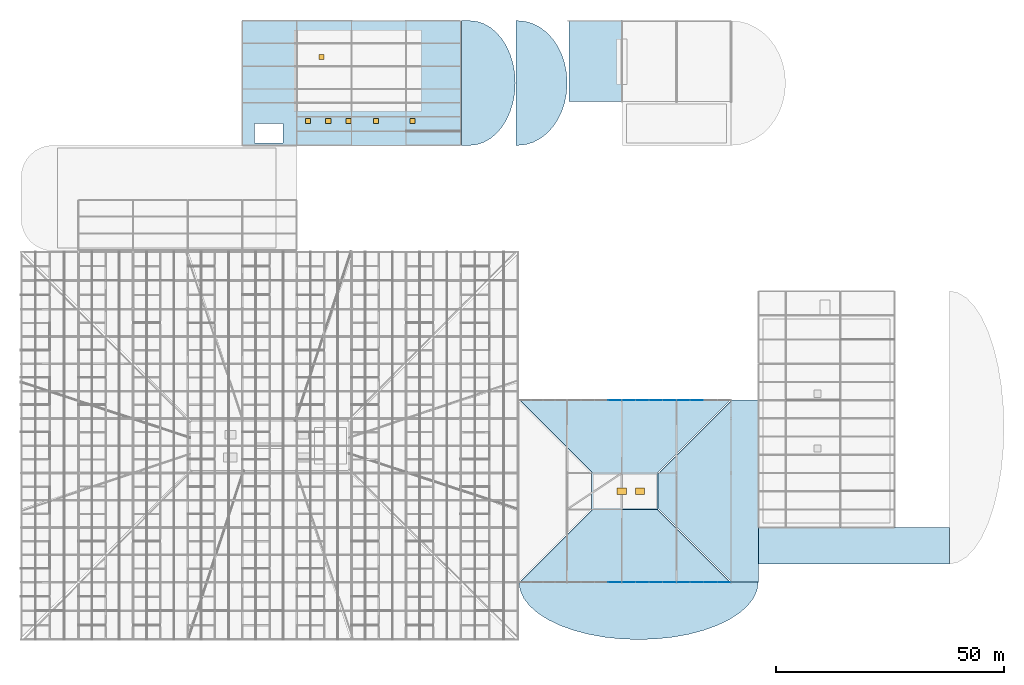
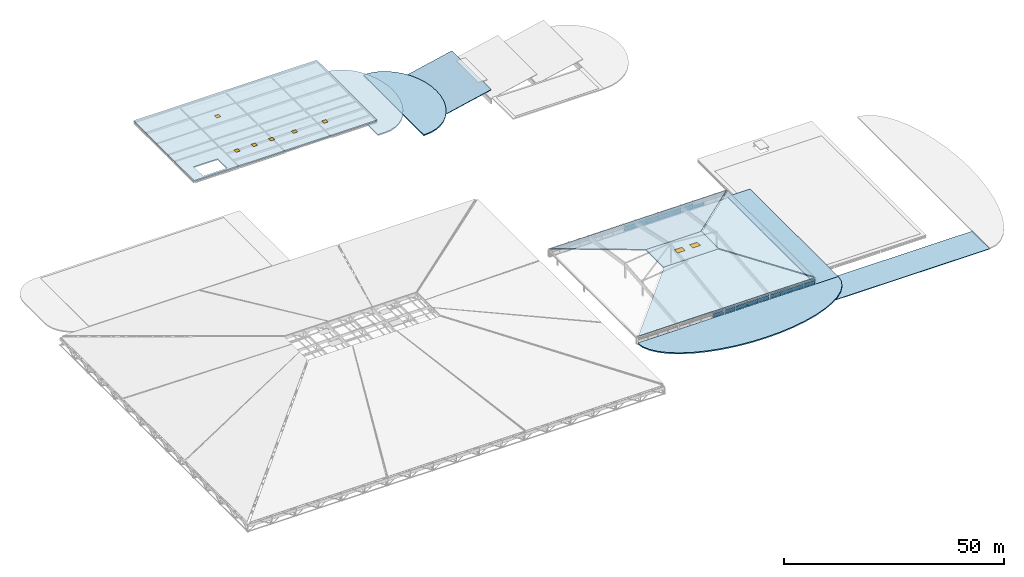
# One storey, part 75 of 80: 31 plates, 11 slabs, 6 doors, 2 windows, 8 openings, 6 elements without a shape of their own.
"""IFC4 building model written with IfcOpenShell, lengths in metres."""

from ifc_helpers import new_model, si_unit, direction, frame, origin, origin_2d, place, context, subcontext, project, spatial, polyline, rectangle, outline, extrude, material, layer, layer_set, type_object, element, fill, aggregate, save


model = new_model("IFC4")

# Units and contexts
model_context = context("Model", 3, precision=1e-05, world=origin(), true_north=direction((0.0, 1.0)))
body_context = subcontext(model_context, "Body", "Model", "MODEL_VIEW")
ifc_project = project(units=[si_unit("LENGTHUNIT", "METRE"), si_unit("AREAUNIT", "SQUARE_METRE"), si_unit("VOLUMEUNIT", "CUBIC_METRE"), si_unit("PLANEANGLEUNIT", "RADIAN"), si_unit("MASSUNIT", "GRAM", prefix="KILO"), si_unit("THERMODYNAMICTEMPERATUREUNIT", "KELVIN"), si_unit("POWERUNIT", "WATT")], contexts=[model_context])

# Site, building, storey
site_placement = place(None, origin())
site = spatial("IfcSite", under=ifc_project, at=site_placement, CompositionType="ELEMENT")
building_placement = place(site_placement, origin())
building = spatial("IfcBuilding", under=site, at=building_placement, Name="Solmara Park Aquatics Centre", CompositionType="ELEMENT")
storey_placement = place(building_placement, frame((0.0, 0.0, 22.800048828125)))
storey = spatial("IfcBuildingStorey", under=building, at=storey_placement, Name="RF", CompositionType="ELEMENT", Elevation=22.800048828125)

# Curtain wall, plate
ifc_material_1 = material(Name="Anodised Aluminium Curtain Wall Framing", Category="aluminium")
curtain_wall_type = type_object("IfcCurtainWallType", Name="ARC-CW-SYS06", PredefinedType="USERDEFINED", material=ifc_material_1)
curtain_wall_1_placement = place(storey_placement, origin())
curtain_wall_1 = element("IfcCurtainWall", 1, at=curtain_wall_1_placement, inside=storey, type_object=curtain_wall_type, Name="Curtain Wall CW-086", ObjectType="CURTAIN WALL", PredefinedType="USERDEFINED")
ifc_material_2 = material(Name="Acoustic Laminated Glazing", Category="glass")
ifc_layer_1 = layer(ifc_material_2, 0.028076171875, Name="Acoustic Laminated Glazing")
ifc_layer_set_1 = layer_set([ifc_layer_1], Name="Acoustic Laminated Glazing")
plate_type_1 = type_object("IfcPlateType", Name="ARC-CWP-GLZ28-2900x1000", PredefinedType="CURTAIN_PANEL", material=ifc_layer_set_1)
plate_1_placement = place(storey_placement, frame((130.449951171875, 52.60009765625, -8.320068359375), z_axis=(0.0, 0.0, 1.0), x_axis=(1.0, 0.0, 0.0)))
plate_1 = element("IfcPlate", 2, at=plate_1_placement, type_object=plate_type_1, Name="CW-086 panel 7", PredefinedType="CURTAIN_PANEL", context=body_context, shape_type="SweptSolid", body=[
    extrude(rectangle(XDim=2.89990234375, YDim=0.028076171875, at=origin_2d()), origin(), (0.0, 0.0, 1.0), 0.99365234375),
])

# Curtain wall, plates
curtain_wall_2_placement = place(storey_placement, origin())
curtain_wall_2 = element("IfcCurtainWall", 3, at=curtain_wall_2_placement, inside=storey, type_object=curtain_wall_type, Name="Curtain Wall CW-088", ObjectType="CURTAIN WALL", PredefinedType="USERDEFINED")
plate_2_placement = place(storey_placement, frame((133.510009765625, 52.60009765625, -8.320068359375), z_axis=(0.0, 0.0, 1.0), x_axis=(1.0, 0.0, 0.0)))
plate_2 = element("IfcPlate", 4, at=plate_2_placement, type_object=plate_type_1, Name="CW-088 panel 1", PredefinedType="CURTAIN_PANEL", context=body_context, shape_type="SweptSolid", body=[
    extrude(rectangle(XDim=2.89990234375, YDim=0.028076171875, at=origin_2d()), origin(), (0.0, 0.0, 1.0), 0.99365234375),
])
plate_3_placement = place(storey_placement, frame((136.489990234375, 52.60009765625, -8.320068359375), z_axis=(0.0, 0.0, 1.0), x_axis=(1.0, 0.0, 0.0)))
plate_3 = element("IfcPlate", 5, at=plate_3_placement, type_object=plate_type_1, Name="CW-088 panel 3", PredefinedType="CURTAIN_PANEL", context=body_context, shape_type="SweptSolid", body=[
    extrude(rectangle(XDim=2.89990234375, YDim=0.028076171875, at=origin_2d()), origin(), (0.0, 0.0, 1.0), 0.99365234375),
])
plate_4_placement = place(storey_placement, frame((139.469970703125, 52.60009765625, -8.320068359375), z_axis=(0.0, 0.0, 1.0), x_axis=(1.0, 0.0, 0.0)))
plate_4 = element("IfcPlate", 6, at=plate_4_placement, type_object=plate_type_1, Name="CW-088 panel 5", PredefinedType="CURTAIN_PANEL", context=body_context, shape_type="SweptSolid", body=[
    extrude(rectangle(XDim=2.89990234375, YDim=0.028076171875, at=origin_2d()), origin(), (0.0, 0.0, 1.0), 0.99365234375),
])
plate_5_placement = place(storey_placement, frame((142.449951171875, 52.60009765625, -8.320068359375), z_axis=(0.0, 0.0, 1.0), x_axis=(1.0, 0.0, 0.0)))
plate_5 = element("IfcPlate", 7, at=plate_5_placement, type_object=plate_type_1, Name="CW-088 panel 7", PredefinedType="CURTAIN_PANEL", context=body_context, shape_type="SweptSolid", body=[
    extrude(rectangle(XDim=2.89990234375, YDim=0.028076171875, at=origin_2d()), origin(), (0.0, 0.0, 1.0), 0.99365234375),
])

curtain_wall_3_placement = place(storey_placement, origin())
curtain_wall_3 = element("IfcCurtainWall", 8, at=curtain_wall_3_placement, inside=storey, type_object=curtain_wall_type, Name="Curtain Wall CW-090", ObjectType="CURTAIN WALL", PredefinedType="USERDEFINED")
plate_6_placement = place(storey_placement, frame((145.510009765625, 52.60009765625, -8.320068359375), z_axis=(0.0, 0.0, 1.0), x_axis=(1.0, 0.0, 0.0)))
plate_6 = element("IfcPlate", 9, at=plate_6_placement, type_object=plate_type_1, Name="CW-090 panel 1", PredefinedType="CURTAIN_PANEL", context=body_context, shape_type="SweptSolid", body=[
    extrude(rectangle(XDim=2.89990234375, YDim=0.028076171875, at=origin_2d()), origin(), (0.0, 0.0, 1.0), 0.99365234375),
])
plate_7_placement = place(storey_placement, frame((148.489990234375, 52.60009765625, -8.320068359375), z_axis=(0.0, 0.0, 1.0), x_axis=(1.0, 0.0, 0.0)))
plate_7 = element("IfcPlate", 10, at=plate_7_placement, type_object=plate_type_1, Name="CW-090 panel 3", PredefinedType="CURTAIN_PANEL", context=body_context, shape_type="SweptSolid", body=[
    extrude(rectangle(XDim=2.89990234375, YDim=0.028076171875, at=origin_2d()), origin(), (0.0, 0.0, 1.0), 0.99365234375),
])

# Curtain wall, plate
curtain_wall_4_placement = place(storey_placement, origin())
curtain_wall_4 = element("IfcCurtainWall", 11, at=curtain_wall_4_placement, inside=storey, type_object=curtain_wall_type, Name="Curtain Wall CW-085", ObjectType="CURTAIN WALL", PredefinedType="USERDEFINED")
ifc_layer_2 = layer(ifc_material_2, 0.028076171875, Name="Acoustic Laminated Glazing")
ifc_layer_set_2 = layer_set([ifc_layer_2], Name="Acoustic Laminated Glazing")
plate_type_2 = type_object("IfcPlateType", Name="ARC-CWP-GLZ28-2900x560", PredefinedType="CURTAIN_PANEL", material=ifc_layer_set_2)
plate_8_placement = place(storey_placement, frame((130.449951171875, 12.60009765625, -7.11181640625), z_axis=(0.0, 0.0, 1.0), x_axis=(1.0, 0.0, 0.0)))
plate_8 = element("IfcPlate", 12, at=plate_8_placement, type_object=plate_type_2, Name="CW-085 panel 8", PredefinedType="CURTAIN_PANEL", context=body_context, shape_type="SweptSolid", body=[
    extrude(rectangle(XDim=2.89990234375, YDim=0.028076171875, at=origin_2d()), origin(), (0.0, 0.0, 1.0), 0.552001953125),
])

# Curtain wall, plates
curtain_wall_5_placement = place(storey_placement, origin())
curtain_wall_5 = element("IfcCurtainWall", 13, at=curtain_wall_5_placement, inside=storey, type_object=curtain_wall_type, Name="Curtain Wall CW-087", ObjectType="CURTAIN WALL", PredefinedType="USERDEFINED")
plate_9_placement = place(storey_placement, frame((133.510009765625, 12.60009765625, -7.11181640625), z_axis=(0.0, 0.0, 1.0), x_axis=(1.0, 0.0, 0.0)))
plate_9 = element("IfcPlate", 14, at=plate_9_placement, type_object=plate_type_2, Name="CW-087 panel 2", PredefinedType="CURTAIN_PANEL", context=body_context, shape_type="SweptSolid", body=[
    extrude(rectangle(XDim=2.89990234375, YDim=0.028076171875, at=origin_2d()), origin(), (0.0, 0.0, 1.0), 0.552001953125),
])
plate_10_placement = place(storey_placement, frame((136.489990234375, 12.60009765625, -7.11181640625), z_axis=(0.0, 0.0, 1.0), x_axis=(1.0, 0.0, 0.0)))
plate_10 = element("IfcPlate", 15, at=plate_10_placement, type_object=plate_type_2, Name="CW-087 panel 4", PredefinedType="CURTAIN_PANEL", context=body_context, shape_type="SweptSolid", body=[
    extrude(rectangle(XDim=2.89990234375, YDim=0.028076171875, at=origin_2d()), origin(), (0.0, 0.0, 1.0), 0.552001953125),
])
plate_11_placement = place(storey_placement, frame((139.469970703125, 12.60009765625, -7.11181640625), z_axis=(0.0, 0.0, 1.0), x_axis=(1.0, 0.0, 0.0)))
plate_11 = element("IfcPlate", 16, at=plate_11_placement, type_object=plate_type_2, Name="CW-087 panel 6", PredefinedType="CURTAIN_PANEL", context=body_context, shape_type="SweptSolid", body=[
    extrude(rectangle(XDim=2.89990234375, YDim=0.028076171875, at=origin_2d()), origin(), (0.0, 0.0, 1.0), 0.552001953125),
])
plate_12_placement = place(storey_placement, frame((142.449951171875, 12.60009765625, -7.11181640625), z_axis=(0.0, 0.0, 1.0), x_axis=(1.0, 0.0, 0.0)))
plate_12 = element("IfcPlate", 17, at=plate_12_placement, type_object=plate_type_2, Name="CW-087 panel 8", PredefinedType="CURTAIN_PANEL", context=body_context, shape_type="SweptSolid", body=[
    extrude(rectangle(XDim=2.89990234375, YDim=0.028076171875, at=origin_2d()), origin(), (0.0, 0.0, 1.0), 0.552001953125),
])

curtain_wall_6_placement = place(storey_placement, origin())
curtain_wall_6 = element("IfcCurtainWall", 18, at=curtain_wall_6_placement, inside=storey, type_object=curtain_wall_type, Name="Curtain Wall CW-089", ObjectType="CURTAIN WALL", PredefinedType="USERDEFINED")
plate_13_placement = place(storey_placement, frame((145.510009765625, 12.60009765625, -7.11181640625), z_axis=(0.0, 0.0, 1.0), x_axis=(1.0, 0.0, 0.0)))
plate_13 = element("IfcPlate", 19, at=plate_13_placement, type_object=plate_type_2, Name="CW-089 panel 2", PredefinedType="CURTAIN_PANEL", context=body_context, shape_type="SweptSolid", body=[
    extrude(rectangle(XDim=2.89990234375, YDim=0.028076171875, at=origin_2d()), origin(), (0.0, 0.0, 1.0), 0.552001953125),
])
plate_14_placement = place(storey_placement, frame((148.489990234375, 12.60009765625, -7.11181640625), z_axis=(0.0, 0.0, 1.0), x_axis=(1.0, 0.0, 0.0)))
plate_14 = element("IfcPlate", 20, at=plate_14_placement, type_object=plate_type_2, Name="CW-089 panel 4", PredefinedType="CURTAIN_PANEL", context=body_context, shape_type="SweptSolid", body=[
    extrude(rectangle(XDim=2.89990234375, YDim=0.028076171875, at=origin_2d()), origin(), (0.0, 0.0, 1.0), 0.552001953125),
])
plate_15_placement = place(storey_placement, frame((151.469970703125, 12.60009765625, -7.11181640625), z_axis=(0.0, 0.0, 1.0), x_axis=(1.0, 0.0, 0.0)))
plate_15 = element("IfcPlate", 21, at=plate_15_placement, type_object=plate_type_2, Name="CW-089 panel 6", PredefinedType="CURTAIN_PANEL", context=body_context, shape_type="SweptSolid", body=[
    extrude(rectangle(XDim=2.89990234375, YDim=0.028076171875, at=origin_2d()), origin(), (0.0, 0.0, 1.0), 0.552001953125),
])
plate_16_placement = place(storey_placement, frame((154.449951171875, 12.60009765625, -7.11181640625), z_axis=(0.0, 0.0, 1.0), x_axis=(1.0, 0.0, 0.0)))
plate_16 = element("IfcPlate", 22, at=plate_16_placement, type_object=plate_type_2, Name="CW-089 panel 8", PredefinedType="CURTAIN_PANEL", context=body_context, shape_type="SweptSolid", body=[
    extrude(rectangle(XDim=2.89990234375, YDim=0.028076171875, at=origin_2d()), origin(), (0.0, 0.0, 1.0), 0.552001953125),
])

# Plate
ifc_layer_3 = layer(ifc_material_2, 0.028076171875, Name="Acoustic Laminated Glazing")
ifc_layer_set_3 = layer_set([ifc_layer_3], Name="Acoustic Laminated Glazing")
plate_type_3 = type_object("IfcPlateType", Name="ARC-CWP-GLZ28-2900x680", PredefinedType="CURTAIN_PANEL", material=ifc_layer_set_3)
plate_17_placement = place(storey_placement, frame((130.449951171875, 52.60009765625, -7.24658203125), z_axis=(0.0, 0.0, 1.0), x_axis=(1.0, 0.0, 0.0)))
plate_17 = element("IfcPlate", 23, at=plate_17_placement, type_object=plate_type_3, Name="CW-086 panel 8", PredefinedType="CURTAIN_PANEL", context=body_context, shape_type="SweptSolid", body=[
    extrude(rectangle(XDim=2.89990234375, YDim=0.028076171875, at=origin_2d()), origin(), (0.0, 0.0, 1.0), 0.686279296875),
])

aggregate(curtain_wall_1, [plate_1, plate_17])

plate_18_placement = place(storey_placement, frame((133.510009765625, 52.60009765625, -7.24658203125), z_axis=(0.0, 0.0, 1.0), x_axis=(1.0, 0.0, 0.0)))
plate_18 = element("IfcPlate", 24, at=plate_18_placement, type_object=plate_type_3, Name="CW-088 panel 2", PredefinedType="CURTAIN_PANEL", context=body_context, shape_type="SweptSolid", body=[
    extrude(rectangle(XDim=2.89990234375, YDim=0.028076171875, at=origin_2d()), origin(), (0.0, 0.0, 1.0), 0.686279296875),
])

plate_19_placement = place(storey_placement, frame((136.489990234375, 52.60009765625, -7.24658203125), z_axis=(0.0, 0.0, 1.0), x_axis=(1.0, 0.0, 0.0)))
plate_19 = element("IfcPlate", 25, at=plate_19_placement, type_object=plate_type_3, Name="CW-088 panel 4", PredefinedType="CURTAIN_PANEL", context=body_context, shape_type="SweptSolid", body=[
    extrude(rectangle(XDim=2.89990234375, YDim=0.028076171875, at=origin_2d()), origin(), (0.0, 0.0, 1.0), 0.686279296875),
])

plate_20_placement = place(storey_placement, frame((139.469970703125, 52.60009765625, -7.24658203125), z_axis=(0.0, 0.0, 1.0), x_axis=(1.0, 0.0, 0.0)))
plate_20 = element("IfcPlate", 26, at=plate_20_placement, type_object=plate_type_3, Name="CW-088 panel 6", PredefinedType="CURTAIN_PANEL", context=body_context, shape_type="SweptSolid", body=[
    extrude(rectangle(XDim=2.89990234375, YDim=0.028076171875, at=origin_2d()), origin(), (0.0, 0.0, 1.0), 0.686279296875),
])

plate_21_placement = place(storey_placement, frame((142.449951171875, 52.60009765625, -7.24658203125), z_axis=(0.0, 0.0, 1.0), x_axis=(1.0, 0.0, 0.0)))
plate_21 = element("IfcPlate", 27, at=plate_21_placement, type_object=plate_type_3, Name="CW-088 panel 8", PredefinedType="CURTAIN_PANEL", context=body_context, shape_type="SweptSolid", body=[
    extrude(rectangle(XDim=2.89990234375, YDim=0.028076171875, at=origin_2d()), origin(), (0.0, 0.0, 1.0), 0.686279296875),
])

aggregate(curtain_wall_2, [plate_2, plate_18, plate_3, plate_19, plate_4, plate_20, plate_5, plate_21])

plate_22_placement = place(storey_placement, frame((145.510009765625, 52.60009765625, -7.24658203125), z_axis=(0.0, 0.0, 1.0), x_axis=(1.0, 0.0, 0.0)))
plate_22 = element("IfcPlate", 28, at=plate_22_placement, type_object=plate_type_3, Name="CW-090 panel 2", PredefinedType="CURTAIN_PANEL", context=body_context, shape_type="SweptSolid", body=[
    extrude(rectangle(XDim=2.89990234375, YDim=0.028076171875, at=origin_2d()), origin(), (0.0, 0.0, 1.0), 0.686279296875),
])

aggregate(curtain_wall_3, [plate_6, plate_22, plate_7])

ifc_layer_4 = layer(ifc_material_2, 0.028076171875, Name="Acoustic Laminated Glazing")
ifc_layer_set_4 = layer_set([ifc_layer_4], Name="Acoustic Laminated Glazing")
plate_type_4 = type_object("IfcPlateType", Name="ARC-CWP-GLZ28-2900x800", PredefinedType="CURTAIN_PANEL", material=ifc_layer_set_4)
plate_23_placement = place(storey_placement, frame((130.449951171875, 12.60009765625, -8.0), z_axis=(0.0, 0.0, 1.0), x_axis=(1.0, 0.0, 0.0)))
plate_23 = element("IfcPlate", 29, at=plate_23_placement, type_object=plate_type_4, Name="CW-085 panel 7", PredefinedType="CURTAIN_PANEL", context=body_context, shape_type="SweptSolid", body=[
    extrude(rectangle(XDim=2.89990234375, YDim=0.028076171875, at=origin_2d()), origin(), (0.0, 0.0, 1.0), 0.80810546875),
])

aggregate(curtain_wall_4, [plate_23, plate_8])

plate_24_placement = place(storey_placement, frame((133.510009765625, 12.60009765625, -8.0), z_axis=(0.0, 0.0, 1.0), x_axis=(1.0, 0.0, 0.0)))
plate_24 = element("IfcPlate", 30, at=plate_24_placement, type_object=plate_type_4, Name="CW-087 panel 1", PredefinedType="CURTAIN_PANEL", context=body_context, shape_type="SweptSolid", body=[
    extrude(rectangle(XDim=2.89990234375, YDim=0.028076171875, at=origin_2d()), origin(), (0.0, 0.0, 1.0), 0.80810546875),
])

plate_25_placement = place(storey_placement, frame((136.489990234375, 12.60009765625, -8.0), z_axis=(0.0, 0.0, 1.0), x_axis=(1.0, 0.0, 0.0)))
plate_25 = element("IfcPlate", 31, at=plate_25_placement, type_object=plate_type_4, Name="CW-087 panel 3", PredefinedType="CURTAIN_PANEL", context=body_context, shape_type="SweptSolid", body=[
    extrude(rectangle(XDim=2.89990234375, YDim=0.028076171875, at=origin_2d()), origin(), (0.0, 0.0, 1.0), 0.80810546875),
])

plate_26_placement = place(storey_placement, frame((139.469970703125, 12.60009765625, -8.0), z_axis=(0.0, 0.0, 1.0), x_axis=(1.0, 0.0, 0.0)))
plate_26 = element("IfcPlate", 32, at=plate_26_placement, type_object=plate_type_4, Name="CW-087 panel 5", PredefinedType="CURTAIN_PANEL", context=body_context, shape_type="SweptSolid", body=[
    extrude(rectangle(XDim=2.89990234375, YDim=0.028076171875, at=origin_2d()), origin(), (0.0, 0.0, 1.0), 0.80810546875),
])

plate_27_placement = place(storey_placement, frame((142.449951171875, 12.60009765625, -8.0), z_axis=(0.0, 0.0, 1.0), x_axis=(1.0, 0.0, 0.0)))
plate_27 = element("IfcPlate", 33, at=plate_27_placement, type_object=plate_type_4, Name="CW-087 panel 7", PredefinedType="CURTAIN_PANEL", context=body_context, shape_type="SweptSolid", body=[
    extrude(rectangle(XDim=2.89990234375, YDim=0.028076171875, at=origin_2d()), origin(), (0.0, 0.0, 1.0), 0.80810546875),
])

aggregate(curtain_wall_5, [plate_24, plate_9, plate_25, plate_10, plate_26, plate_11, plate_27, plate_12])

plate_28_placement = place(storey_placement, frame((145.510009765625, 12.60009765625, -8.0), z_axis=(0.0, 0.0, 1.0), x_axis=(1.0, 0.0, 0.0)))
plate_28 = element("IfcPlate", 34, at=plate_28_placement, type_object=plate_type_4, Name="CW-089 panel 1", PredefinedType="CURTAIN_PANEL", context=body_context, shape_type="SweptSolid", body=[
    extrude(rectangle(XDim=2.89990234375, YDim=0.028076171875, at=origin_2d()), origin(), (0.0, 0.0, 1.0), 0.80810546875),
])

plate_29_placement = place(storey_placement, frame((148.489990234375, 12.60009765625, -8.0), z_axis=(0.0, 0.0, 1.0), x_axis=(1.0, 0.0, 0.0)))
plate_29 = element("IfcPlate", 35, at=plate_29_placement, type_object=plate_type_4, Name="CW-089 panel 3", PredefinedType="CURTAIN_PANEL", context=body_context, shape_type="SweptSolid", body=[
    extrude(rectangle(XDim=2.89990234375, YDim=0.028076171875, at=origin_2d()), origin(), (0.0, 0.0, 1.0), 0.80810546875),
])

plate_30_placement = place(storey_placement, frame((151.469970703125, 12.60009765625, -8.0), z_axis=(0.0, 0.0, 1.0), x_axis=(1.0, 0.0, 0.0)))
plate_30 = element("IfcPlate", 36, at=plate_30_placement, type_object=plate_type_4, Name="CW-089 panel 5", PredefinedType="CURTAIN_PANEL", context=body_context, shape_type="SweptSolid", body=[
    extrude(rectangle(XDim=2.89990234375, YDim=0.028076171875, at=origin_2d()), origin(), (0.0, 0.0, 1.0), 0.80810546875),
])

plate_31_placement = place(storey_placement, frame((154.449951171875, 12.60009765625, -8.0), z_axis=(0.0, 0.0, 1.0), x_axis=(1.0, 0.0, 0.0)))
plate_31 = element("IfcPlate", 37, at=plate_31_placement, type_object=plate_type_4, Name="CW-089 panel 7", PredefinedType="CURTAIN_PANEL", context=body_context, shape_type="SweptSolid", body=[
    extrude(rectangle(XDim=2.89990234375, YDim=0.028076171875, at=origin_2d()), origin(), (0.0, 0.0, 1.0), 0.80810546875),
])

aggregate(curtain_wall_6, [plate_28, plate_13, plate_29, plate_14, plate_30, plate_15, plate_31, plate_16])

# Slabs
ifc_material_3 = material(Name="Precast Concrete C40/50", Category="concrete")
ifc_layer_5 = layer(ifc_material_3, 0.159912109375, Name="Precast Concrete C40/50")
ifc_layer_set_5 = layer_set([ifc_layer_5], Name="Precast Concrete C40/50")
slab_type_1 = type_object("IfcSlabType", Name="STR-SLB-ROOF160", PredefinedType="ROOF", material=ifc_layer_set_5)
slab_1_placement = place(storey_placement, frame((0.0, 0.0, -17.66015625)))
element("IfcSlab", 38, at=slab_1_placement, inside=storey, type_object=slab_type_1, Name="Entrance Foyer South Wing Roof", PredefinedType="ROOF", context=body_context, shape_type="SweptSolid", body=[
    extrude(outline(polyline([(162.0, 16.60009765625), (204.0, 16.60009765625), (204.0, 24.60009765625), (162.0, 24.60009765625), (162.0, 16.60009765625)])), origin(), (0.0, 0.0, 1.0), 0.16015625),
])
slab_2_placement = place(storey_placement, frame((120.39990234375, 118.199951171875, -12.400146484375), z_axis=(-0.216447443973, 0.0, 0.97629427121), x_axis=(0.97629427121, 0.0, 0.216447443973)))
element("IfcSlab", 39, at=slab_2_placement, inside=storey, type_object=slab_type_1, Name="Training Pool Sawtooth Roof Panel 1", PredefinedType="ROOF", context=body_context, shape_type="SweptSolid", body=[
    extrude(outline(polyline([(0.0, 0.0), (11.881763519796317, 0.0), (11.881763519796317, 17.800048828125004), (0.0, 17.800048828125004), (0.0, 0.0)])), origin(), (0.0, 0.0, -1.0), 0.159912109375),
])
ifc_material_4 = material(Name="Concrete C40/50", Category="concrete")
ifc_layer_6 = layer(ifc_material_4, 0.239990234375, Name="Concrete C40/50")
ifc_layer_set_6 = layer_set([ifc_layer_6], Name="Concrete C40/50")
slab_type_2 = type_object("IfcSlabType", Name="STR-SLB-ROOF240", PredefinedType="ROOF", material=ifc_layer_set_6)
for number, where, z_axis, x_axis, name in (
    (40, (109.6201171875, 12.60009765625, -6.239990234375), (0.0, -0.233363973654, 0.972389456854), (1.0, 0.0, 0.0), "Diving Pavilion Hipped Roof S"),
    (41, (155.780029296875, 52.60009765625, -6.239990234375), (0.0, 0.233363973654, 0.972389456854), (-1.0, 0.0, 0.0), "Diving Pavilion Hipped Roof N"),
):
    element("IfcSlab", number, at=place(storey_placement, frame(where, z_axis=z_axis, x_axis=x_axis)), inside=storey, type_object=slab_type_2, Name=name, PredefinedType="ROOF", context=body_context, shape_type="SweptSolid", body=[
        extrude(outline(polyline([(0.0, 0.0), (46.159912109375, 0.0), (30.159912109375, 16.45431250537117), (16.0, 16.45431250537117), (0.0, 0.0)])), origin(), (0.0, 0.0, -1.0), 0.239990234375),
    ])
slab_3_placement = place(storey_placement, frame((156.0, 12.820068359375, -6.239990234375), z_axis=(0.233363973654, 0.0, 0.972389456854), x_axis=(0.0, 1.0, 0.0)))
element("IfcSlab", 42, at=slab_3_placement, inside=storey, type_object=slab_type_2, Name="Diving Pavilion Hipped Roof E", PredefinedType="ROOF", context=body_context, shape_type="SweptSolid", body=[
    extrude(outline(polyline([(0.0, 0.0), (39.559814453125, 0.0), (23.559814453125, 16.45431250537117), (16.0, 16.45431250537117), (0.0, 0.0)])), origin(), (0.0, 0.0, -1.0), 0.239990234375),
])

# Slab, openings, windows
slab_4_placement = place(storey_placement, frame((0.0, 0.0, -2.64013671875)))
slab_4 = element("IfcSlab", 43, at=slab_4_placement, inside=storey, type_object=slab_type_2, Name="Diving Pavilion Crown Roof Slab", PredefinedType="ROOF", context=body_context, shape_type="SweptSolid", body=[
    extrude(outline(polyline([(125.39990234375, 28.60009765625), (140.0, 28.60009765625), (140.0, 36.60009765625), (125.39990234375, 36.60009765625), (125.39990234375, 28.60009765625)])), origin(), (0.0, 0.0, 1.0), 0.239990234375),
])
opening_1_placement = place(slab_4_placement, frame((132.0, 32.60009765625, 0.0)))
opening_1 = element("IfcOpeningElement", 44, at=opening_1_placement, cuts=slab_4, Name="Opening SK-03", PredefinedType="OPENING", context=body_context, shape_type="SweptSolid", body=[
    extrude(rectangle(XDim=2.0, YDim=1.5, at=origin_2d()), frame((0.0, 0.0, -0.010009765625)), (0.0, 0.0, 1.0), 0.260009765625),
])
opening_2_placement = place(slab_4_placement, frame((136.0, 32.60009765625, 0.0)))
opening_2 = element("IfcOpeningElement", 45, at=opening_2_placement, cuts=slab_4, Name="Opening SK-03", PredefinedType="OPENING", context=body_context, shape_type="SweptSolid", body=[
    extrude(rectangle(XDim=2.0, YDim=1.5, at=origin_2d()), frame((0.0, 0.0, -0.010009765625)), (0.0, 0.0, 1.0), 0.260009765625),
])
ifc_material_5 = material(Name="Thermally Broken Aluminium and Low-E Double Glazing", Category="aluminium")
window_type = type_object("IfcWindowType", Name="ARC-SKY-200x150", PartitioningType="SINGLE_PANEL", PredefinedType="SKYLIGHT", material=ifc_material_5)
window_1_placement = place(opening_1_placement, frame((0.0, 0.0, 0.18994140625)))
window_1 = element("IfcWindow", 46, at=window_1_placement, inside=storey, type_object=window_type, Name="Roof Daylight Skylight SKY-05", OverallHeight=1.5, OverallWidth=2.0, PartitioningType="SINGLE_PANEL", PredefinedType="SKYLIGHT", context=body_context, shape_type="SweptSolid", body=[
    extrude(rectangle(XDim=2.0, YDim=1.5, at=origin_2d()), origin(), (0.0, 0.0, 1.0), 0.050048828125),
])
fill(opening_1, window_1)
window_2_placement = place(opening_2_placement, frame((0.0, 0.0, 0.18994140625)))
window_2 = element("IfcWindow", 47, at=window_2_placement, inside=storey, type_object=window_type, Name="Roof Daylight Skylight SKY-06", OverallHeight=1.5, OverallWidth=2.0, PartitioningType="SINGLE_PANEL", PredefinedType="SKYLIGHT", context=body_context, shape_type="SweptSolid", body=[
    extrude(rectangle(XDim=2.0, YDim=1.5, at=origin_2d()), origin(), (0.0, 0.0, 1.0), 0.050048828125),
])
fill(opening_2, window_2)

# Slabs
ifc_layer_7 = layer(ifc_material_4, 0.320068359375, Name="Concrete C40/50")
ifc_layer_set_7 = layer_set([ifc_layer_7], Name="Concrete C40/50")
slab_type_3 = type_object("IfcSlabType", Name="STR-SLB-ROOF320", PredefinedType="ROOF", material=ifc_layer_set_7)
slab_5_placement = place(storey_placement, frame((0.0, 0.0, -8.400146484375)))
element("IfcSlab", 48, at=slab_5_placement, inside=storey, type_object=slab_type_3, Name="Diving Pavilion Curved Prow Roof", PredefinedType="ROOF", context=body_context, shape_type="SweptSolid", body=[
    extrude(outline(polyline([(109.39990234375, 12.60009765625), (109.667724609375, 10.806884765625), (110.46533203125, 9.05029296875), (111.776611328125, 7.36572265625), (113.574951171875, 5.787841796875), (115.82373046875, 4.348876953125), (118.477294921875, 3.07763671875), (121.481201171875, 2.000244140625), (124.774658203125, 1.138671875), (128.290283203125, 0.510498046875), (131.95703125, 0.128173828125), (135.699951171875, 0.0), (139.44287109375, 0.128173828125), (143.109619140625, 0.510498046875), (146.62548828125, 1.138671875), (149.9189453125, 2.000244140625), (152.9228515625, 3.07763671875), (155.576171875, 4.348876953125), (157.824951171875, 5.787841796875), (159.623291015625, 7.36572265625), (160.934814453125, 9.05029296875), (161.732421875, 10.806884765625), (162.0, 12.60009765625), (162.0, 12.60009765625), (109.39990234375, 12.60009765625), (109.39990234375, 12.60009765625)])), origin(), (0.0, 0.0, 1.0), 0.320068359375),
])
slab_6_placement = place(storey_placement, frame((0.0, 0.0, -8.400146484375)))
element("IfcSlab", 49, at=slab_6_placement, inside=storey, type_object=slab_type_3, Name="Diving Pavilion East Strip Roof", PredefinedType="ROOF", context=body_context, shape_type="SweptSolid", body=[
    extrude(outline(polyline([(156.0, 12.60009765625), (162.0, 12.60009765625), (162.0, 52.60009765625), (156.0, 52.60009765625), (156.0, 12.60009765625)])), origin(), (0.0, 0.0, 1.0), 0.320068359375),
])
slab_7_placement = place(storey_placement, frame((0.0, 0.0, -8.719970703125)))
element("IfcSlab", 50, at=slab_7_placement, inside=storey, type_object=slab_type_3, Name="Wellness L02 Prow Roof", PredefinedType="ROOF", context=body_context, shape_type="SweptSolid", body=[
    extrude(outline(polyline([(108.800048828125, 108.60009765625), (109.199951171875, 108.60009765625), (110.889404296875, 108.768798828125), (112.537353515625, 109.2705078125), (114.10302734375, 110.09326171875), (115.548095703125, 111.216552734375), (116.8369140625, 112.612548828125), (117.9375, 114.247314453125), (118.822998046875, 116.080322265625), (119.471435546875, 118.06640625), (119.866943359375, 120.15673828125), (120.0, 122.300048828125), (119.866943359375, 124.443115234375), (119.471435546875, 126.533447265625), (118.822998046875, 128.519775390625), (117.9375, 130.352783203125), (116.8369140625, 131.9873046875), (115.548095703125, 133.383544921875), (114.10302734375, 134.5068359375), (112.537353515625, 135.32958984375), (110.889404296875, 135.831298828125), (109.199951171875, 136.0), (108.800048828125, 136.0), (108.800048828125, 108.60009765625)])), origin(), (0.0, 0.0, 1.0), 0.31982421875),
])
slab_8_placement = place(storey_placement, frame((0.0, 0.0, -4.47998046875)))
element("IfcSlab", 51, at=slab_8_placement, inside=storey, type_object=slab_type_3, Name="Wellness L03 Prow Roof", PredefinedType="ROOF", context=body_context, shape_type="SweptSolid", body=[
    extrude(outline(polyline([(96.800048828125, 108.60009765625), (98.60009765625, 108.60009765625), (100.164306640625, 108.768798828125), (101.690185546875, 109.2705078125), (103.139892578125, 110.09326171875), (104.477783203125, 111.216552734375), (105.671142578125, 112.612548828125), (106.690185546875, 114.247314453125), (107.510009765625, 116.080322265625), (108.110595703125, 118.06640625), (108.476806640625, 120.15673828125), (108.60009765625, 122.300048828125), (108.476806640625, 124.443115234375), (108.110595703125, 126.533447265625), (107.510009765625, 128.519775390625), (106.690185546875, 130.352783203125), (105.671142578125, 131.9873046875), (104.477783203125, 133.383544921875), (103.139892578125, 134.5068359375), (101.690185546875, 135.32958984375), (100.164306640625, 135.831298828125), (98.60009765625, 136.0), (96.800048828125, 136.0), (96.800048828125, 108.60009765625)])), origin(), (0.0, 0.0, 1.0), 0.31982421875),
])

# Slab, openings, doors
slab_9_placement = place(storey_placement, frame((0.0, 0.0, -0.320068359375)))
slab_9 = element("IfcSlab", 52, at=slab_9_placement, inside=storey, type_object=slab_type_3, Name="Broadcast Belvedere Top Roof Slab", PredefinedType="ROOF", context=body_context, shape_type="SweptSolid", body=[
    extrude(outline(polyline([(48.60009765625, 108.60009765625), (96.60009765625, 108.60009765625), (96.60009765625, 136.0), (48.60009765625, 136.0), (48.60009765625, 108.60009765625)]), holes=[polyline([(51.25, 109.1298828125), (57.550048828125, 109.1298828125), (57.550048828125, 113.3701171875), (51.25, 113.3701171875), (51.25, 109.1298828125)])]), origin(), (0.0, 0.0, 1.0), 0.320068359375),
])
opening_3_placement = place(slab_9_placement, frame((63.0, 114.0, 0.0)))
opening_3 = element("IfcOpeningElement", 53, at=opening_3_placement, cuts=slab_9, Name="Opening D-08", PredefinedType="OPENING", context=body_context, shape_type="SweptSolid", body=[
    extrude(rectangle(XDim=1.10009765625, YDim=1.10009765625, at=origin_2d()), frame((0.0, 0.0, -0.010009765625)), (0.0, 0.0, 1.0), 0.340087890625),
])
opening_4_placement = place(slab_9_placement, frame((67.5, 114.0, 0.0)))
opening_4 = element("IfcOpeningElement", 54, at=opening_4_placement, cuts=slab_9, Name="Opening D-08", PredefinedType="OPENING", context=body_context, shape_type="SweptSolid", body=[
    extrude(rectangle(XDim=1.10009765625, YDim=1.10009765625, at=origin_2d()), frame((0.0, 0.0, -0.010009765625)), (0.0, 0.0, 1.0), 0.340087890625),
])
opening_5_placement = place(slab_9_placement, frame((72.0, 114.0, 0.0)))
opening_5 = element("IfcOpeningElement", 55, at=opening_5_placement, cuts=slab_9, Name="Opening D-08", PredefinedType="OPENING", context=body_context, shape_type="SweptSolid", body=[
    extrude(rectangle(XDim=1.10009765625, YDim=1.10009765625, at=origin_2d()), frame((0.0, 0.0, -0.010009765625)), (0.0, 0.0, 1.0), 0.340087890625),
])
opening_6_placement = place(slab_9_placement, frame((78.0, 114.0, 0.0)))
opening_6 = element("IfcOpeningElement", 56, at=opening_6_placement, cuts=slab_9, Name="Opening D-08", PredefinedType="OPENING", context=body_context, shape_type="SweptSolid", body=[
    extrude(rectangle(XDim=1.10009765625, YDim=1.10009765625, at=origin_2d()), frame((0.0, 0.0, -0.010009765625)), (0.0, 0.0, 1.0), 0.340087890625),
])
opening_7_placement = place(slab_9_placement, frame((86.0, 114.0, 0.0)))
opening_7 = element("IfcOpeningElement", 57, at=opening_7_placement, cuts=slab_9, Name="Opening D-08", PredefinedType="OPENING", context=body_context, shape_type="SweptSolid", body=[
    extrude(rectangle(XDim=1.10009765625, YDim=1.10009765625, at=origin_2d()), frame((0.0, 0.0, -0.010009765625)), (0.0, 0.0, 1.0), 0.340087890625),
])
opening_8_placement = place(slab_9_placement, frame((66.0, 128.0, 0.0)))
opening_8 = element("IfcOpeningElement", 58, at=opening_8_placement, cuts=slab_9, Name="Opening D-08", PredefinedType="OPENING", context=body_context, shape_type="SweptSolid", body=[
    extrude(rectangle(XDim=1.10009765625, YDim=1.10009765625, at=origin_2d()), frame((0.0, 0.0, -0.010009765625)), (0.0, 0.0, 1.0), 0.340087890625),
])
ifc_material_6 = material(Name="Thermally Broken Powder-Coated Aluminium and Laminated Glass", Category="aluminium")
door_type = type_object("IfcDoorType", Name="ARC-DR-HT110x110", OperationType="SINGLE_SWING_LEFT", PredefinedType="TRAPDOOR", material=ifc_material_6)
door_1_placement = place(opening_3_placement, frame((0.0, 0.0, 0.27001953125)))
door_1 = element("IfcDoor", 59, at=door_1_placement, inside=storey, type_object=door_type, Name="Roof Maintenance Hatch HT-RF-01", OperationType="SINGLE_SWING_LEFT", OverallHeight=1.10009765625, OverallWidth=1.10009765625, PredefinedType="TRAPDOOR", context=body_context, shape_type="SweptSolid", body=[
    extrude(rectangle(XDim=1.10009765625, YDim=1.10009765625, at=origin_2d()), origin(), (0.0, 0.0, 1.0), 0.050048828125),
])
fill(opening_3, door_1)
door_2_placement = place(opening_4_placement, frame((0.0, 0.0, 0.27001953125)))
door_2 = element("IfcDoor", 60, at=door_2_placement, inside=storey, type_object=door_type, Name="Roof Maintenance Hatch HT-RF-02", OperationType="SINGLE_SWING_LEFT", OverallHeight=1.10009765625, OverallWidth=1.10009765625, PredefinedType="TRAPDOOR", context=body_context, shape_type="SweptSolid", body=[
    extrude(rectangle(XDim=1.10009765625, YDim=1.10009765625, at=origin_2d()), origin(), (0.0, 0.0, 1.0), 0.050048828125),
])
fill(opening_4, door_2)
door_3_placement = place(opening_5_placement, frame((0.0, 0.0, 0.27001953125)))
door_3 = element("IfcDoor", 61, at=door_3_placement, inside=storey, type_object=door_type, Name="Roof Maintenance Hatch HT-RF-03", OperationType="SINGLE_SWING_LEFT", OverallHeight=1.10009765625, OverallWidth=1.10009765625, PredefinedType="TRAPDOOR", context=body_context, shape_type="SweptSolid", body=[
    extrude(rectangle(XDim=1.10009765625, YDim=1.10009765625, at=origin_2d()), origin(), (0.0, 0.0, 1.0), 0.050048828125),
])
fill(opening_5, door_3)
door_4_placement = place(opening_6_placement, frame((0.0, 0.0, 0.27001953125)))
door_4 = element("IfcDoor", 62, at=door_4_placement, inside=storey, type_object=door_type, Name="Roof Maintenance Hatch HT-RF-04", OperationType="SINGLE_SWING_LEFT", OverallHeight=1.10009765625, OverallWidth=1.10009765625, PredefinedType="TRAPDOOR", context=body_context, shape_type="SweptSolid", body=[
    extrude(rectangle(XDim=1.10009765625, YDim=1.10009765625, at=origin_2d()), origin(), (0.0, 0.0, 1.0), 0.050048828125),
])
fill(opening_6, door_4)
door_5_placement = place(opening_7_placement, frame((0.0, 0.0, 0.27001953125)))
door_5 = element("IfcDoor", 63, at=door_5_placement, inside=storey, type_object=door_type, Name="Roof Maintenance Hatch HT-RF-05", OperationType="SINGLE_SWING_LEFT", OverallHeight=1.10009765625, OverallWidth=1.10009765625, PredefinedType="TRAPDOOR", context=body_context, shape_type="SweptSolid", body=[
    extrude(rectangle(XDim=1.10009765625, YDim=1.10009765625, at=origin_2d()), origin(), (0.0, 0.0, 1.0), 0.050048828125),
])
fill(opening_7, door_5)
door_6_placement = place(opening_8_placement, frame((0.0, 0.0, 0.27001953125)))
door_6 = element("IfcDoor", 64, at=door_6_placement, inside=storey, type_object=door_type, Name="Roof Maintenance Hatch HT-RF-06", OperationType="SINGLE_SWING_LEFT", OverallHeight=1.10009765625, OverallWidth=1.10009765625, PredefinedType="TRAPDOOR", context=body_context, shape_type="SweptSolid", body=[
    extrude(rectangle(XDim=1.10009765625, YDim=1.10009765625, at=origin_2d()), origin(), (0.0, 0.0, 1.0), 0.050048828125),
])
fill(opening_8, door_6)

save(model, "model.ifc")
